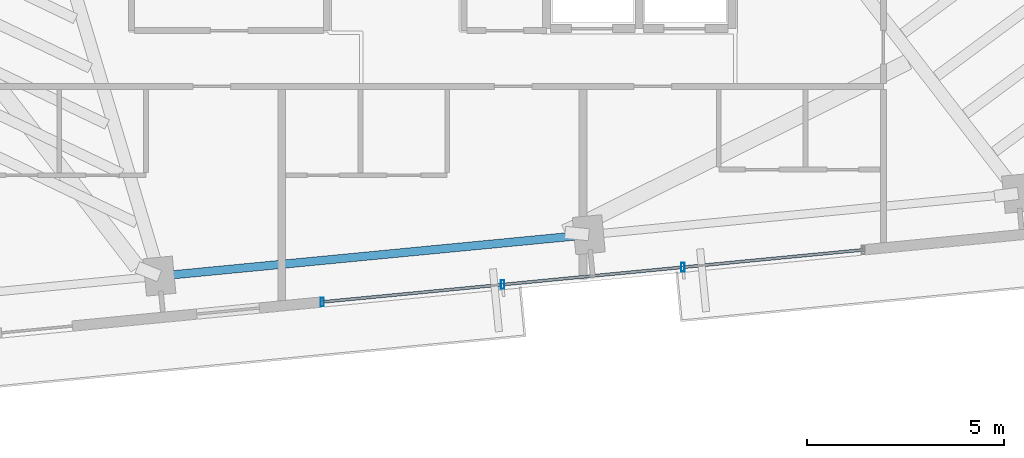
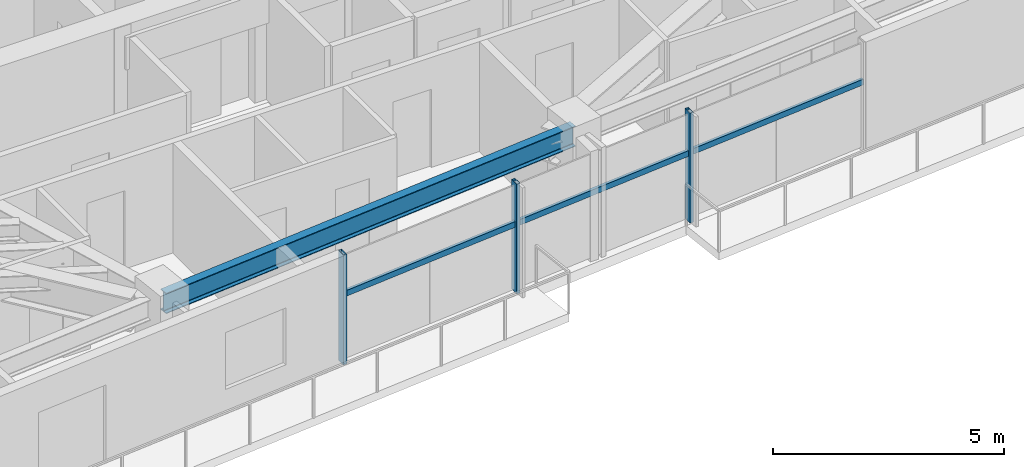
# One storey, part 4 of 18: 6 members, 1 beam, 1 element without a shape of its own.
"""IFC4 building model written with IfcOpenShell, lengths in metres."""

from ifc_helpers import new_model, si_unit, direction, frame, origin, origin_2d, place, context, subcontext, project, spatial, hollow_rectangle, i_section, extrude, source, transform, mapped, material, material_profile, profile_set, type_object, type_shapes, element, aggregate, save


model = new_model("IFC4")

# Units and contexts
model_context = context("Model", 3, precision=1e-05, world=origin(), true_north=direction((0.0, 1.0)))
body_context = subcontext(model_context, "Body", "Model", "MODEL_VIEW")
ifc_project = project(units=[si_unit("LENGTHUNIT", "METRE"), si_unit("AREAUNIT", "SQUARE_METRE"), si_unit("VOLUMEUNIT", "CUBIC_METRE"), si_unit("PLANEANGLEUNIT", "RADIAN"), si_unit("MASSUNIT", "GRAM", prefix="KILO")], contexts=[model_context])

# Site, building, storey
site_placement = place(None, origin())
site = spatial("IfcSite", under=ifc_project, at=site_placement, CompositionType="ELEMENT")
building_placement = place(site_placement, origin())
building = spatial("IfcBuilding", under=site, at=building_placement, Name="Astriad Promenade Condominiums", CompositionType="ELEMENT")
storey_placement = place(building_placement, frame((0.0, 0.0, 208.199951171875)))
storey = spatial("IfcBuildingStorey", under=building, at=storey_placement, Name="L60", CompositionType="ELEMENT", Elevation=208.199951171875)

# Beam
ifc_material_1 = material(Name="Steel ASTM A992 Grade 50", Category="steel")
ifc_material_profile_1 = material_profile(ifc_material_1, i_section(OverallWidth=0.210693359375, OverallDepth=0.53955078125, WebThickness=0.01171875, FlangeThickness=0.018798828125, FilletRadius=0.0166015625, at=origin_2d()), Name="W21X73")
ifc_profile_set_1 = profile_set([ifc_material_profile_1], Name="Steel ASTM A992 Grade 50")
beam_type = type_object("IfcBeamType", Name="STEEL SPANDREL BEAM W21X73", PredefinedType="SPANDREL", material=ifc_profile_set_1)
shared_shape_1 = source(origin(), body_context, "Body", "SweptSolid", [
    extrude(i_section(OverallWidth=0.210693359375, OverallDepth=0.53955078125, WebThickness=0.01171875, FlangeThickness=0.018798828125, FilletRadius=0.0166015625, at=origin_2d()), origin(), (0.0, 0.0, 1.0), 10.8701171875),
])
type_shapes(beam_type, [shared_shape_1])
beam_placement = place(storey_placement, frame((29.10888671875, 8.47119140625, 2.63037109375), z_axis=(0.995394986184, 0.09585834069, 0.0), x_axis=(-0.09585834069, 0.995394986184, 0.0)))
element("IfcBeam", 1, at=beam_placement, inside=storey, type_object=beam_type, Name="Perimeter Spandrel Beam SP-S2-L60", PredefinedType="SPANDREL", context=body_context, shape_type="MappedRepresentation", body=[
    mapped(shared_shape_1, transform((0.0, 0.0, 0.0), scale=1.0)),
])

# Curtain wall, members
ifc_material_2 = material(Name="Anodised aluminium Black Dark Glass Unitised", Category="aluminium")
curtain_wall_type = type_object("IfcCurtainWallType", Name="CW-B34-DARK", PredefinedType="USERDEFINED", material=ifc_material_2)
curtain_wall_placement = place(storey_placement, origin())
curtain_wall = element("IfcCurtainWall", 2, at=curtain_wall_placement, inside=storey, type_object=curtain_wall_type, Name="CW-L60-S", ObjectType="UNITISED_CURTAIN_WALL", PredefinedType="USERDEFINED")
ifc_material_3 = material(Name="Anodised aluminium 6063-T6 Black", Category="aluminium")
ifc_material_profile_2 = material_profile(ifc_material_3, hollow_rectangle(XDim=0.074951171875, YDim=0.14990234375, WallThickness=0.004150390625, at=origin_2d()), Name="ALU-TRN-75X150")
ifc_profile_set_2 = profile_set([ifc_material_profile_2], Name="Anodised aluminium 6063-T6 Black")
member_type_1 = type_object("IfcMemberType", Name="TRN-ALU-TRN-75X150", PredefinedType="USERDEFINED", material=ifc_profile_set_2)
shared_shape_2 = source(origin(), body_context, "Body", "SweptSolid", [
    extrude(hollow_rectangle(XDim=0.074951171875, YDim=0.14990234375, WallThickness=0.004150390625, at=origin_2d()), origin(), (0.0, 0.0, 1.0), 4.60009765625),
])
member_1_placement = place(storey_placement, frame((46.9375, 9.133056640625, 1.798095703125), z_axis=(-0.995395697572, -0.095850953336, 0.0), x_axis=(0.095850953336, -0.995395697572, 0.0)))
member_1 = element("IfcMember", 3, at=member_1_placement, type_object=member_type_1, Name="CW-L60-S-TRN-00-0", ObjectType="TRANSOM", PredefinedType="USERDEFINED", context=body_context, shape_type="MappedRepresentation", body=[
    mapped(shared_shape_2, transform((0.0, 0.0, 0.0), scale=1.0)),
])
member_2_placement = place(storey_placement, frame((42.358642578125, 8.692138671875, 1.798095703125), z_axis=(-0.995395697572, -0.095850953336, 0.0), x_axis=(0.095850953336, -0.995395697572, 0.0)))
member_2 = element("IfcMember", 4, at=member_2_placement, type_object=member_type_1, Name="CW-L60-S-TRN-01-0", ObjectType="TRANSOM", PredefinedType="USERDEFINED", context=body_context, shape_type="MappedRepresentation", body=[
    mapped(shared_shape_2, transform((0.0, 0.0, 0.0), scale=1.0)),
])
shared_shape_3 = source(origin(), body_context, "Body", "SweptSolid", [
    extrude(hollow_rectangle(XDim=0.074951171875, YDim=0.14990234375, WallThickness=0.004150390625, at=origin_2d()), origin(), (0.0, 0.0, 1.0), 4.599853515625),
])
type_shapes(member_type_1, [shared_shape_2, shared_shape_3])
member_3_placement = place(storey_placement, frame((37.77978515625, 8.251220703125, 1.798095703125), z_axis=(-0.995395209924, -0.095856017336, 0.0), x_axis=(0.095856017336, -0.995395209924, 0.0)))
member_3 = element("IfcMember", 5, at=member_3_placement, type_object=member_type_1, Name="CW-L60-S-TRN-02-0", ObjectType="TRANSOM", PredefinedType="USERDEFINED", context=body_context, shape_type="MappedRepresentation", body=[
    mapped(shared_shape_3, transform((0.0, 0.0, 0.0), scale=1.0)),
])
ifc_material_profile_3 = material_profile(ifc_material_3, hollow_rectangle(XDim=0.0849609375, YDim=0.219970703125, WallThickness=0.0048828125, at=origin_2d()), Name="ALU-MUL-85X220")
ifc_profile_set_3 = profile_set([ifc_material_profile_3], Name="Anodised aluminium 6063-T6 Black")
member_type_2 = type_object("IfcMemberType", Name="MUL-ALU-MUL-85X220", PredefinedType="MULLION", material=ifc_profile_set_3)
shared_shape_4 = source(origin(), body_context, "Body", "SweptSolid", [
    extrude(hollow_rectangle(XDim=0.0849609375, YDim=0.219970703125, WallThickness=0.0048828125, at=origin_2d()), origin(), (0.0, 0.0, 1.0), 2.900146484375),
])
type_shapes(member_type_2, [shared_shape_4])
member_4_placement = place(storey_placement, frame((42.358642578125, 8.692138671875, 0.0), z_axis=(0.0, 0.0, 1.0), x_axis=(1.0, 0.0, 0.0)))
member_4 = element("IfcMember", 6, at=member_4_placement, type_object=member_type_2, Name="CW-L60-S-MUL-01", PredefinedType="MULLION", context=body_context, shape_type="MappedRepresentation", body=[
    mapped(shared_shape_4, transform((0.0, 0.0, 0.0), scale=1.0)),
])
member_5_placement = place(storey_placement, frame((37.77978515625, 8.251220703125, 0.0), z_axis=(0.0, 0.0, 1.0), x_axis=(1.0, 0.0, 0.0)))
member_5 = element("IfcMember", 7, at=member_5_placement, type_object=member_type_2, Name="CW-L60-S-MUL-02", PredefinedType="MULLION", context=body_context, shape_type="MappedRepresentation", body=[
    mapped(shared_shape_4, transform((0.0, 0.0, 0.0), scale=1.0)),
])
member_6_placement = place(storey_placement, frame((33.201171875, 7.810302734375, 0.0), z_axis=(0.0, 0.0, 1.0), x_axis=(1.0, 0.0, 0.0)))
member_6 = element("IfcMember", 8, at=member_6_placement, type_object=member_type_2, Name="CW-L60-S-MUL-03", PredefinedType="MULLION", context=body_context, shape_type="MappedRepresentation", body=[
    mapped(shared_shape_4, transform((0.0, 0.0, 0.0), scale=1.0)),
])
aggregate(curtain_wall, [member_4, member_5, member_6, member_1, member_2, member_3])

save(model, "model.ifc")
